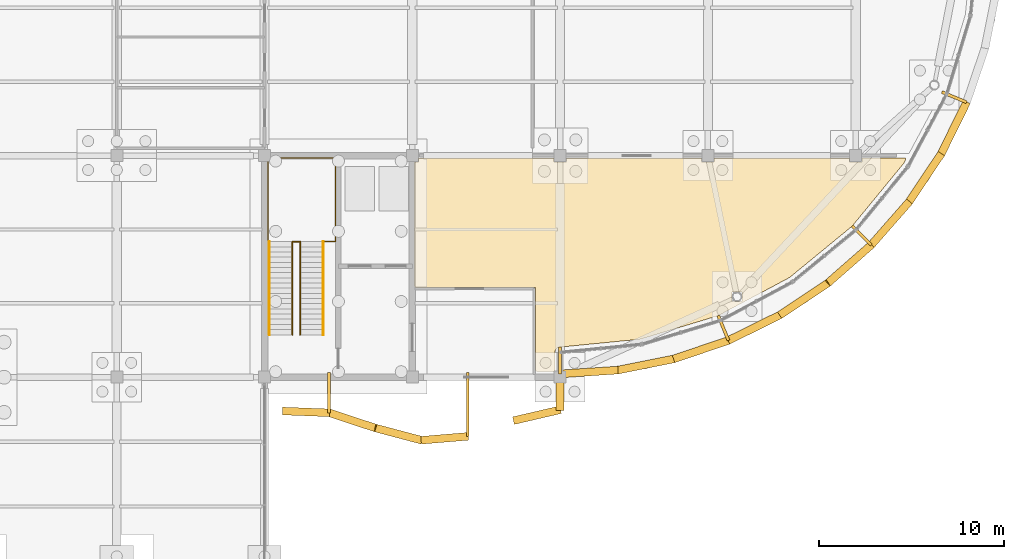
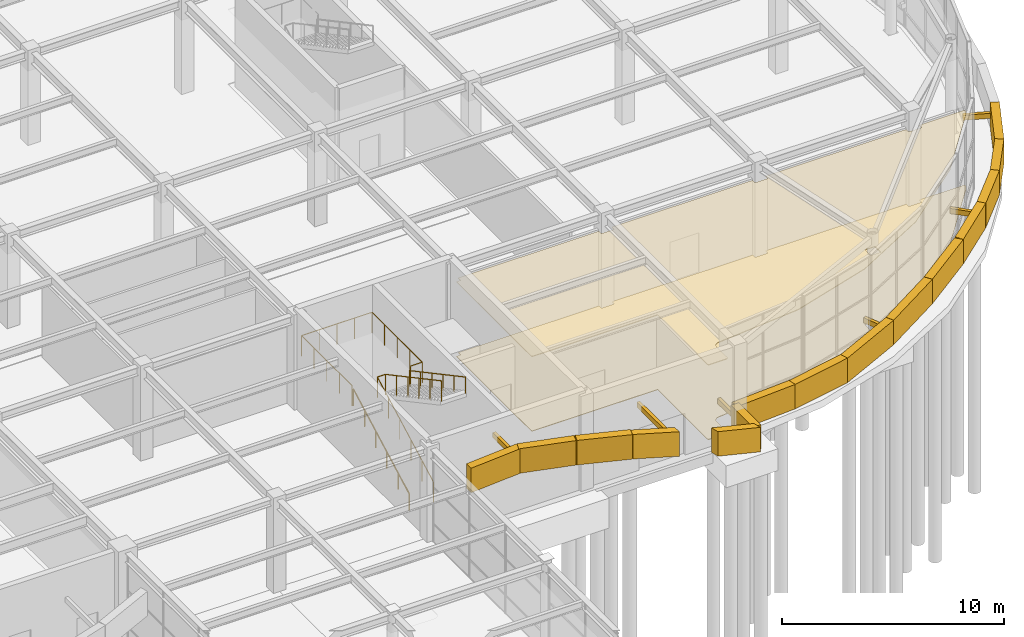
# One storey, part 80 of 85: 23 coverings, 4 railings.
"""IFC4 building model written with IfcOpenShell, lengths in metres."""

from ifc_helpers import new_model, si_unit, direction, frame, frame_2d, origin, origin_2d, place, context, subcontext, project, spatial, polyline, rectangle, circle, outline, extrude, material, layer, layer_set, type_object, element, save


model = new_model("IFC4")

# Units and contexts
model_context = context("Model", 3, precision=1e-05, world=origin(), true_north=direction((0.0, 1.0)))
body_context = subcontext(model_context, "Body", "Model", "MODEL_VIEW")
ifc_project = project(units=[si_unit("LENGTHUNIT", "METRE"), si_unit("AREAUNIT", "SQUARE_METRE"), si_unit("VOLUMEUNIT", "CUBIC_METRE"), si_unit("PLANEANGLEUNIT", "RADIAN"), si_unit("MASSUNIT", "GRAM", prefix="KILO")], contexts=[model_context])

# Site, building, storey
site_placement = place(None, origin())
site = spatial("IfcSite", under=ifc_project, at=site_placement, CompositionType="ELEMENT")
building_placement = place(site_placement, origin())
building = spatial("IfcBuilding", under=site, at=building_placement, Name="Keelwater Ferry Terminal", CompositionType="ELEMENT")
storey_placement = place(building_placement, origin())
storey = spatial("IfcBuildingStorey", under=building, at=storey_placement, Name="L00", CompositionType="ELEMENT", Elevation=0.0)

# Coverings
ifc_material_1 = material(Name="Perforated acoustic gypsum board ceiling", Category="gypsum")
ifc_layer_1 = layer(ifc_material_1, 0.044921875)
ifc_layer_set_1 = layer_set([ifc_layer_1], Name="Perforated acoustic gypsum board ceiling")
covering_type_1 = type_object("IfcCoveringType", Name="CL-AC Acoustic Baffle Ceiling", PredefinedType="CEILING", material=ifc_layer_set_1)
covering_1_placement = place(storey_placement, frame((0.0, 0.0, 4.10009765625)))
element("IfcCovering", 1, at=covering_1_placement, inside=storey, type_object=covering_type_1, Name="Customs Inspection Hall Acoustic Ceiling", PredefinedType="CEILING", context=body_context, shape_type="SweptSolid", body=[
    extrude(outline(polyline([(173.85107421875, 46.02490234375), (173.843994140625, 46.02001953125), (173.837890625, 46.01611328125), (172.568115234375, 45.3369140625), (172.56103515625, 45.333984375), (172.552978515625, 45.3310546875), (168.37109375, 44.06298828125), (168.364013671875, 44.06201171875), (168.35595703125, 44.06005859375), (163.97802734375, 43.62890625), (163.89306640625, 43.60791015625), (163.822021484375, 43.56494140625), (163.783935546875, 43.527099609375), (163.7548828125, 43.48388671875), (163.72607421875, 43.402099609375), (163.719970703125, 43.345947265625), (163.719970703125, 42.39990234375), (163.719970703125, 42.39208984375), (163.718017578125, 42.384033203125), (163.717041015625, 42.376953125), (163.714111328125, 42.368896484375), (163.7109375, 42.362060546875), (163.70703125, 42.35595703125), (163.701904296875, 42.34912109375), (163.697021484375, 42.343017578125), (163.69091796875, 42.337890625), (163.68603515625, 42.3349609375), (163.6650390625, 42.3349609375), (163.6650390625, 42.323974609375), (163.6630859375, 42.322998046875), (163.656005859375, 42.322021484375), (163.64794921875, 42.320068359375), (163.639892578125, 42.320068359375), (162.75, 42.320068359375), (162.741943359375, 42.320068359375), (162.73388671875, 42.322021484375), (162.72705078125, 42.322998046875), (162.718994140625, 42.325927734375), (162.7119140625, 42.3291015625), (162.7060546875, 42.3330078125), (162.698974609375, 42.337890625), (162.693115234375, 42.343017578125), (162.68798828125, 42.34912109375), (162.68310546875, 42.35595703125), (162.678955078125, 42.362060546875), (162.676025390625, 42.368896484375), (162.673095703125, 42.376953125), (162.672119140625, 42.384033203125), (162.669921875, 42.39208984375), (162.669921875, 42.39990234375), (162.669921875, 46.8701171875), (156.199951171875, 46.8701171875), (156.19189453125, 46.8701171875), (156.18408203125, 46.8720703125), (156.177001953125, 46.873046875), (156.1689453125, 46.8759765625), (156.162109375, 46.87890625), (156.156005859375, 46.883056640625), (156.14892578125, 46.887939453125), (156.14306640625, 46.89306640625), (156.137939453125, 46.89892578125), (156.133056640625, 46.906005859375), (156.12890625, 46.912109375), (156.1259765625, 46.9189453125), (156.123046875, 46.927001953125), (156.1220703125, 46.93408203125), (156.1201171875, 46.94189453125), (156.1201171875, 46.949951171875), (156.1201171875, 53.655029296875), (156.1201171875, 53.6630859375), (156.12109375, 53.6650390625), (156.3349609375, 53.6650390625), (156.3349609375, 53.87890625), (156.3369140625, 53.8798828125), (156.344970703125, 53.8798828125), (163.655029296875, 53.8798828125), (163.6630859375, 53.8798828125), (163.6650390625, 53.87890625), (163.6650390625, 53.6650390625), (164.3349609375, 53.6650390625), (164.3349609375, 53.87890625), (164.3369140625, 53.8798828125), (164.344970703125, 53.8798828125), (171.655029296875, 53.8798828125), (171.6630859375, 53.8798828125), (171.6650390625, 53.87890625), (171.6650390625, 53.6650390625), (172.3349609375, 53.6650390625), (172.3349609375, 53.87890625), (172.3369140625, 53.8798828125), (172.344970703125, 53.8798828125), (179.655029296875, 53.8798828125), (179.6630859375, 53.8798828125), (179.6650390625, 53.87890625), (179.6650390625, 53.6650390625), (180.3349609375, 53.6650390625), (180.3349609375, 53.87890625), (180.3369140625, 53.8798828125), (180.344970703125, 53.8798828125), (182.6298828125, 53.8798828125), (182.637939453125, 53.8798828125), (182.64599609375, 53.8779296875), (182.653076171875, 53.876953125), (182.660888671875, 53.8740234375), (182.66796875, 53.87109375), (182.674072265625, 53.866943359375), (182.680908203125, 53.862060546875), (182.68701171875, 53.85693359375), (182.69189453125, 53.85107421875), (182.697021484375, 53.843994140625), (182.700927734375, 53.837890625), (182.7041015625, 53.8310546875), (182.70703125, 53.822998046875), (182.7080078125, 53.81591796875), (182.7099609375, 53.80810546875), (182.7099609375, 53.800048828125), (182.7099609375, 53.7919921875), (182.7080078125, 53.783935546875), (182.70703125, 53.777099609375), (182.7041015625, 53.76904296875), (182.700927734375, 53.761962890625), (182.60302734375, 53.5791015625), (182.597900390625, 53.572998046875), (182.593994140625, 53.56591796875), (179.822021484375, 50.18896484375), (179.81689453125, 50.18310546875), (179.81103515625, 50.177978515625), (176.43408203125, 47.406005859375), (176.427001953125, 47.40087890625), (176.4208984375, 47.39697265625), (173.889892578125, 46.0439453125), (173.883056640625, 46.041015625), (173.875, 46.0380859375), (173.867919921875, 46.037109375), (173.861083984375, 46.035888671875), (173.85693359375, 46.030029296875), (173.85107421875, 46.02490234375)]), holes=[polyline([(173.842041015625, 46.625), (173.31396484375, 46.625), (173.31396484375, 46.096923828125), (173.842041015625, 46.096923828125), (173.842041015625, 46.625)])]), origin(), (0.0, 0.0, 1.0), 0.044921875),
])
ifc_material_2 = material(Name="Polished mineral terrazzo tile", Category="stone")
ifc_layer_2 = layer(ifc_material_2, 0.030029296875)
ifc_layer_set_2 = layer_set([ifc_layer_2], Name="Polished mineral terrazzo tile")
covering_type_2 = type_object("IfcCoveringType", Name="FL-TZ Marine Terrazzo Flooring", PredefinedType="FLOORING", material=ifc_layer_set_2)
covering_2_placement = place(storey_placement, origin())
element("IfcCovering", 2, at=covering_2_placement, inside=storey, type_object=covering_type_2, Name="Customs Inspection Hall Terrazzo Floor", PredefinedType="FLOORING", context=body_context, shape_type="SweptSolid", body=[
    extrude(outline(polyline([(173.85107421875, 46.02490234375), (173.843994140625, 46.02001953125), (173.837890625, 46.01611328125), (172.568115234375, 45.3369140625), (172.56103515625, 45.333984375), (172.552978515625, 45.3310546875), (168.37109375, 44.06298828125), (168.364013671875, 44.06201171875), (168.35595703125, 44.06005859375), (163.97802734375, 43.62890625), (163.89306640625, 43.60791015625), (163.822021484375, 43.56494140625), (163.783935546875, 43.527099609375), (163.7548828125, 43.48388671875), (163.72607421875, 43.402099609375), (163.719970703125, 43.345947265625), (163.719970703125, 42.39990234375), (163.719970703125, 42.39208984375), (163.718017578125, 42.384033203125), (163.717041015625, 42.376953125), (163.714111328125, 42.368896484375), (163.7109375, 42.362060546875), (163.70703125, 42.35595703125), (163.701904296875, 42.34912109375), (163.697021484375, 42.343017578125), (163.69091796875, 42.337890625), (163.68603515625, 42.3349609375), (163.6650390625, 42.3349609375), (163.6650390625, 42.323974609375), (163.6630859375, 42.322998046875), (163.656005859375, 42.322021484375), (163.64794921875, 42.320068359375), (163.639892578125, 42.320068359375), (162.75, 42.320068359375), (162.741943359375, 42.320068359375), (162.73388671875, 42.322021484375), (162.72705078125, 42.322998046875), (162.718994140625, 42.325927734375), (162.7119140625, 42.3291015625), (162.7060546875, 42.3330078125), (162.698974609375, 42.337890625), (162.693115234375, 42.343017578125), (162.68798828125, 42.34912109375), (162.68310546875, 42.35595703125), (162.678955078125, 42.362060546875), (162.676025390625, 42.368896484375), (162.673095703125, 42.376953125), (162.672119140625, 42.384033203125), (162.669921875, 42.39208984375), (162.669921875, 42.39990234375), (162.669921875, 46.8701171875), (156.199951171875, 46.8701171875), (156.19189453125, 46.8701171875), (156.18408203125, 46.8720703125), (156.177001953125, 46.873046875), (156.1689453125, 46.8759765625), (156.162109375, 46.87890625), (156.156005859375, 46.883056640625), (156.14892578125, 46.887939453125), (156.14306640625, 46.89306640625), (156.137939453125, 46.89892578125), (156.133056640625, 46.906005859375), (156.12890625, 46.912109375), (156.1259765625, 46.9189453125), (156.123046875, 46.927001953125), (156.1220703125, 46.93408203125), (156.1201171875, 46.94189453125), (156.1201171875, 46.949951171875), (156.1201171875, 53.655029296875), (156.1201171875, 53.6630859375), (156.12109375, 53.6650390625), (156.3349609375, 53.6650390625), (156.3349609375, 53.87890625), (156.3369140625, 53.8798828125), (156.344970703125, 53.8798828125), (163.655029296875, 53.8798828125), (163.6630859375, 53.8798828125), (163.6650390625, 53.87890625), (163.6650390625, 53.6650390625), (164.3349609375, 53.6650390625), (164.3349609375, 53.87890625), (164.3369140625, 53.8798828125), (164.344970703125, 53.8798828125), (171.655029296875, 53.8798828125), (171.6630859375, 53.8798828125), (171.6650390625, 53.87890625), (171.6650390625, 53.6650390625), (172.3349609375, 53.6650390625), (172.3349609375, 53.87890625), (172.3369140625, 53.8798828125), (172.344970703125, 53.8798828125), (179.655029296875, 53.8798828125), (179.6630859375, 53.8798828125), (179.6650390625, 53.87890625), (179.6650390625, 53.6650390625), (180.3349609375, 53.6650390625), (180.3349609375, 53.87890625), (180.3369140625, 53.8798828125), (180.344970703125, 53.8798828125), (182.6298828125, 53.8798828125), (182.637939453125, 53.8798828125), (182.64599609375, 53.8779296875), (182.653076171875, 53.876953125), (182.660888671875, 53.8740234375), (182.66796875, 53.87109375), (182.674072265625, 53.866943359375), (182.680908203125, 53.862060546875), (182.68701171875, 53.85693359375), (182.69189453125, 53.85107421875), (182.697021484375, 53.843994140625), (182.700927734375, 53.837890625), (182.7041015625, 53.8310546875), (182.70703125, 53.822998046875), (182.7080078125, 53.81591796875), (182.7099609375, 53.80810546875), (182.7099609375, 53.800048828125), (182.7099609375, 53.7919921875), (182.7080078125, 53.783935546875), (182.70703125, 53.777099609375), (182.7041015625, 53.76904296875), (182.700927734375, 53.761962890625), (182.60302734375, 53.5791015625), (182.597900390625, 53.572998046875), (182.593994140625, 53.56591796875), (179.822021484375, 50.18896484375), (179.81689453125, 50.18310546875), (179.81103515625, 50.177978515625), (176.43408203125, 47.406005859375), (176.427001953125, 47.40087890625), (176.4208984375, 47.39697265625), (173.889892578125, 46.0439453125), (173.883056640625, 46.041015625), (173.875, 46.0380859375), (173.867919921875, 46.037109375), (173.861083984375, 46.035888671875), (173.85693359375, 46.030029296875), (173.85107421875, 46.02490234375)]), holes=[polyline([(173.842041015625, 46.625), (173.31396484375, 46.625), (173.31396484375, 46.096923828125), (173.842041015625, 46.096923828125), (173.842041015625, 46.625)])]), origin(), (0.0, 0.0, 1.0), 0.030029296875),
])

# Railings
ifc_material_3 = material(Name="Painted Steel S355", Category="steel")
railing_type_1 = type_object("IfcRailingType", Name="GR-115 Stair Well Guardrail", PredefinedType="GUARDRAIL", material=ifc_material_3)
railing_1_placement = place(storey_placement, frame((149.510009765625, 44.300048828125, 0.0)))
element("IfcRailing", 3, at=railing_1_placement, inside=storey, type_object=railing_type_1, Name="Stair ST-C4-L00 Inner Well Guard 70", PredefinedType="GUARDRAIL", context=body_context, shape_type="SweptSolid", body=[
    extrude(circle(Radius=0.02392578125, at=origin_2d()), frame((0.0, 0.0, 1.1259765625), z_axis=(0.0, 0.881485048194, 0.472211933151), x_axis=(-1.0, 0.0, 0.0)), (0.0, 0.0, 1.0), 5.7177734375),
    extrude(circle(Radius=0.02392578125, at=origin_2d()), frame((0.0, 5.0400390625, 3.82568359375), z_axis=(1.0, 0.0, 0.0), x_axis=(0.0, 1.0, 0.0)), (0.0, 0.0, 1.0), 0.419921875),
    extrude(circle(Radius=0.02392578125, at=origin_2d()), frame((0.419921875, 5.0400390625, 3.82568359375), z_axis=(0.0, -0.881485048194, 0.472211933151), x_axis=(1.0, 0.0, 0.0)), (0.0, 0.0, 1.0), 5.7177734375),
    extrude(circle(Radius=0.02099609375, at=origin_2d()), origin(), (0.0, 0.0, 1.0), 1.101806640625),
    extrude(circle(Radius=0.02099609375, at=origin_2d()), frame((0.0, 1.008056640625, 0.5400390625)), (0.0, 0.0, 1.0), 1.101806640625),
    extrude(circle(Radius=0.02099609375, at=origin_2d()), frame((0.0, 2.01611328125, 1.080078125)), (0.0, 0.0, 1.0), 1.101806640625),
    extrude(circle(Radius=0.02099609375, at=origin_2d()), frame((0.0, 3.02392578125, 1.619873046875)), (0.0, 0.0, 1.0), 1.101806640625),
    extrude(circle(Radius=0.02099609375, at=origin_2d()), frame((0.0, 4.031982421875, 2.159912109375)), (0.0, 0.0, 1.0), 1.101806640625),
    extrude(circle(Radius=0.02099609375, at=origin_2d()), frame((0.0, 5.0400390625, 2.699951171875)), (0.0, 0.0, 1.0), 1.101806640625),
    extrude(circle(Radius=0.02099609375, at=origin_2d()), frame((0.419921875, 5.0400390625, 2.699951171875)), (0.0, 0.0, 1.0), 1.101806640625),
    extrude(circle(Radius=0.02099609375, at=origin_2d()), frame((0.419921875, 4.031982421875, 3.239990234375)), (0.0, 0.0, 1.0), 1.101806640625),
    extrude(circle(Radius=0.02099609375, at=origin_2d()), frame((0.419921875, 3.02392578125, 3.780029296875)), (0.0, 0.0, 1.0), 1.101806640625),
    extrude(circle(Radius=0.02099609375, at=origin_2d()), frame((0.419921875, 2.01611328125, 4.31982421875)), (0.0, 0.0, 1.0), 1.101806640625),
    extrude(circle(Radius=0.02099609375, at=origin_2d()), frame((0.419921875, 1.008056640625, 4.85986328125)), (0.0, 0.0, 1.0), 1.101806640625),
    extrude(circle(Radius=0.02099609375, at=origin_2d()), frame((0.419921875, 0.0, 5.39990234375)), (0.0, 0.0, 1.0), 1.101806640625),
])
railing_2_placement = place(storey_placement, frame((148.199951171875, 49.340087890625, 2.699951171875)))
element("IfcRailing", 4, at=railing_2_placement, inside=storey, type_object=railing_type_1, Name="Stair ST-C4-L00 Half-Landing Guard 71", PredefinedType="GUARDRAIL", context=body_context, shape_type="SweptSolid", body=[
    extrude(circle(Radius=0.02392578125, at=origin_2d()), frame((0.0, 0.0, 1.1259765625), z_axis=(-1.0, 0.0, 0.0), x_axis=(0.0, -1.0, 0.0)), (0.0, 0.0, 1.0), 0.02001953125),
    extrude(circle(Radius=0.02392578125, at=origin_2d()), frame((-0.02001953125, 0.0, 1.1259765625), z_axis=(0.0, 1.0, 0.0), x_axis=(-1.0, 0.0, 0.0)), (0.0, 0.0, 1.0), 4.530029296875),
    extrude(circle(Radius=0.02392578125, at=origin_2d()), frame((-0.02001953125, 4.530029296875, 1.1259765625), z_axis=(1.0, 0.0, 0.0), x_axis=(0.0, 1.0, 0.0)), (0.0, 0.0, 1.0), 3.670166015625),
    extrude(circle(Radius=0.02392578125, at=origin_2d()), frame((3.650146484375, 4.530029296875, 1.1259765625), z_axis=(0.0, -1.0, 0.0), x_axis=(1.0, 0.0, 0.0)), (0.0, 0.0, 1.0), 4.530029296875),
    extrude(circle(Radius=0.02392578125, at=origin_2d()), frame((3.650146484375, 0.0, 1.1259765625), z_axis=(-1.0, 0.0, 0.0), x_axis=(0.0, -1.0, 0.0)), (0.0, 0.0, 1.0), 0.610107421875),
    extrude(circle(Radius=0.02099609375, at=origin_2d()), origin(), (0.0, 0.0, 1.0), 1.101806640625),
    extrude(circle(Radius=0.02099609375, at=origin_2d()), frame((-0.02001953125, 0.0, 0.0)), (0.0, 0.0, 1.0), 1.101806640625),
    extrude(circle(Radius=0.02099609375, at=origin_2d()), frame((-0.02001953125, 1.132568359375, 0.0)), (0.0, 0.0, 1.0), 1.101806640625),
    extrude(circle(Radius=0.02099609375, at=origin_2d()), frame((-0.02001953125, 2.26513671875, 0.0)), (0.0, 0.0, 1.0), 1.101806640625),
    extrude(circle(Radius=0.02099609375, at=origin_2d()), frame((-0.02001953125, 3.3974609375, 0.0)), (0.0, 0.0, 1.0), 1.101806640625),
    extrude(circle(Radius=0.02099609375, at=origin_2d()), frame((-0.02001953125, 4.530029296875, 0.0)), (0.0, 0.0, 1.0), 1.101806640625),
    extrude(circle(Radius=0.02099609375, at=origin_2d()), frame((0.8974609375, 4.530029296875, 0.0)), (0.0, 0.0, 1.0), 1.101806640625),
    extrude(circle(Radius=0.02099609375, at=origin_2d()), frame((1.81494140625, 4.530029296875, 0.0)), (0.0, 0.0, 1.0), 1.101806640625),
    extrude(circle(Radius=0.02099609375, at=origin_2d()), frame((2.732666015625, 4.530029296875, 0.0)), (0.0, 0.0, 1.0), 1.101806640625),
    extrude(circle(Radius=0.02099609375, at=origin_2d()), frame((3.650146484375, 4.530029296875, 0.0)), (0.0, 0.0, 1.0), 1.101806640625),
    extrude(circle(Radius=0.02099609375, at=origin_2d()), frame((3.650146484375, 3.3974609375, 0.0)), (0.0, 0.0, 1.0), 1.101806640625),
    extrude(circle(Radius=0.02099609375, at=origin_2d()), frame((3.650146484375, 2.26513671875, 0.0)), (0.0, 0.0, 1.0), 1.101806640625),
    extrude(circle(Radius=0.02099609375, at=origin_2d()), frame((3.650146484375, 1.132568359375, 0.0)), (0.0, 0.0, 1.0), 1.101806640625),
    extrude(circle(Radius=0.02099609375, at=origin_2d()), frame((3.650146484375, 0.0, 0.0)), (0.0, 0.0, 1.0), 1.101806640625),
    extrude(circle(Radius=0.02099609375, at=origin_2d()), frame((3.0400390625, 0.0, 0.0)), (0.0, 0.0, 1.0), 1.101806640625),
])
ifc_material_4 = material(Name="Brushed stainless steel handrail", Category="steel")
railing_type_2 = type_object("IfcRailingType", Name="HR-920 Stair Pitch Handrail", PredefinedType="HANDRAIL", material=ifc_material_4)
railing_3_placement = place(storey_placement, frame((148.260009765625, 44.300048828125, 0.0)))
element("IfcRailing", 5, at=railing_3_placement, inside=storey, type_object=railing_type_2, Name="Stair ST-C4-L00 Flight 1 Handrail 72", PredefinedType="HANDRAIL", context=body_context, shape_type="SweptSolid", body=[
    extrude(circle(Radius=0.02392578125, at=origin_2d()), frame((0.0, 0.0, 0.89599609375), z_axis=(0.0, 0.881485048194, 0.472211933151), x_axis=(-1.0, 0.0, 0.0)), (0.0, 0.0, 1.0), 5.7177734375),
    extrude(circle(Radius=0.02099609375, at=origin_2d()), origin(), (0.0, 0.0, 1.0), 0.871826171875),
    extrude(circle(Radius=0.02099609375, at=origin_2d()), frame((0.0, 1.008056640625, 0.5400390625)), (0.0, 0.0, 1.0), 0.871826171875),
    extrude(circle(Radius=0.02099609375, at=origin_2d()), frame((0.0, 2.01611328125, 1.080078125)), (0.0, 0.0, 1.0), 0.871826171875),
    extrude(circle(Radius=0.02099609375, at=origin_2d()), frame((0.0, 3.02392578125, 1.619873046875)), (0.0, 0.0, 1.0), 0.871826171875),
    extrude(circle(Radius=0.02099609375, at=origin_2d()), frame((0.0, 4.031982421875, 2.159912109375)), (0.0, 0.0, 1.0), 0.871826171875),
    extrude(circle(Radius=0.02099609375, at=origin_2d()), frame((0.0, 5.0400390625, 2.699951171875)), (0.0, 0.0, 1.0), 0.871826171875),
])
railing_4_placement = place(storey_placement, frame((151.179931640625, 49.340087890625, 2.699951171875)))
element("IfcRailing", 6, at=railing_4_placement, inside=storey, type_object=railing_type_2, Name="Stair ST-C4-L00 Flight 2 Handrail 73", PredefinedType="HANDRAIL", context=body_context, shape_type="SweptSolid", body=[
    extrude(circle(Radius=0.02392578125, at=origin_2d()), frame((0.0, 0.0, 0.89599609375), z_axis=(0.0, -0.881485048194, 0.472211933151), x_axis=(1.0, 0.0, 0.0)), (0.0, 0.0, 1.0), 5.7177734375),
    extrude(circle(Radius=0.02099609375, at=origin_2d()), origin(), (0.0, 0.0, 1.0), 0.871826171875),
    extrude(circle(Radius=0.02099609375, at=origin_2d()), frame((0.0, -1.008056640625, 0.5400390625)), (0.0, 0.0, 1.0), 0.871826171875),
    extrude(circle(Radius=0.02099609375, at=origin_2d()), frame((0.0, -2.01611328125, 1.080078125)), (0.0, 0.0, 1.0), 0.871826171875),
    extrude(circle(Radius=0.02099609375, at=origin_2d()), frame((0.0, -3.02392578125, 1.619873046875)), (0.0, 0.0, 1.0), 0.871826171875),
    extrude(circle(Radius=0.02099609375, at=origin_2d()), frame((0.0, -4.031982421875, 2.159912109375)), (0.0, 0.0, 1.0), 0.871826171875),
    extrude(circle(Radius=0.02099609375, at=origin_2d()), frame((0.0, -5.0400390625, 2.699951171875)), (0.0, 0.0, 1.0), 0.871826171875),
])

# Coverings
ifc_material_5 = material(Name="Matte white architectural aluminium fascia ribbon", Category="aluminium")
ifc_layer_3 = layer(ifc_material_5, 0.1201171875)
ifc_layer_set_3 = layer_set([ifc_layer_3], Name="Matte white architectural aluminium fascia ribbon")
covering_type_3 = type_object("IfcCoveringType", Name="RB-WHT Matte White Fascia Ribbon", PredefinedType="CLADDING", material=ifc_layer_set_3)
covering_3_placement = place(storey_placement, frame((148.97509765625, 40.1708984375, 3.3291015625), z_axis=(0.0, 0.0, 1.0), x_axis=(0.999263716325, -0.038366981065, 0.0)))
element("IfcCovering", 7, at=covering_3_placement, inside=storey, type_object=covering_type_3, Name="Quay Plinth Wave Fascia Ribbon 578", PredefinedType="CLADDING", context=body_context, shape_type="SweptSolid", body=[
    extrude(outline(polyline([(0.0, 0.0), (2.5517578125, 0.261962890625), (2.5517578125, 1.61181640625), (0.0, 1.349853515625), (0.0, 0.0)])), frame((0.0, 0.2099609375, 0.0), z_axis=(0.0, -1.0, 0.0), x_axis=(1.0, 0.0, 0.0)), (0.0, 0.0, 1.0), 0.419921875),
])
covering_4_placement = place(storey_placement, frame((151.47607421875, 40.08203125, 3.591064453125), z_axis=(0.0, 0.0, 1.0), x_axis=(0.949922945862, -0.312484234682, 0.0)))
element("IfcCovering", 8, at=covering_4_placement, inside=storey, type_object=covering_type_3, Name="Quay Plinth Wave Fascia Ribbon 582", PredefinedType="CLADDING", context=body_context, shape_type="SweptSolid", body=[
    extrude(outline(polyline([(0.0, 0.0), (2.68212890625, 0.08203125), (2.68212890625, 1.431884765625), (0.0, 1.349853515625), (0.0, 0.0)])), frame((0.0, 0.2099609375, 0.0), z_axis=(0.0, -1.0, 0.0), x_axis=(1.0, 0.0, 0.0)), (0.0, 0.0, 1.0), 0.419921875),
])
covering_5_placement = place(storey_placement, frame((151.5, 40.073974609375, 4.1259765625), z_axis=(0.0, 0.0, 1.0), x_axis=(0.0, 1.0, 0.0)))
element("IfcCovering", 9, at=covering_5_placement, inside=storey, type_object=covering_type_3, Name="Ribbon Horizontal Tie Bracket 586", PredefinedType="CLADDING", context=body_context, shape_type="SweptSolid", body=[
    extrude(rectangle(XDim=2.176025390625, YDim=0.159912109375, at=frame_2d((1.087890625, 0.0))), origin(), (0.0, 0.0, 1.0), 0.280029296875),
])
covering_6_placement = place(storey_placement, frame((153.97607421875, 39.258056640625, 3.51708984375), z_axis=(0.0, 0.0, 1.0), x_axis=(0.966647246159, -0.256111502073, 0.0)))
element("IfcCovering", 10, at=covering_6_placement, inside=storey, type_object=covering_type_3, Name="Quay Plinth Wave Fascia Ribbon 593", PredefinedType="CLADDING", context=body_context, shape_type="SweptSolid", body=[
    extrude(outline(polyline([(0.0, 0.156005859375), (2.6357421875, 0.0), (2.6357421875, 1.349853515625), (0.0, 1.505859375), (0.0, 0.156005859375)])), frame((0.0, 0.2099609375, 0.0), z_axis=(0.0, -1.0, 0.0), x_axis=(1.0, 0.0, 0.0)), (0.0, 0.0, 1.0), 0.419921875),
])
covering_7_placement = place(storey_placement, frame((156.47509765625, 38.5869140625, 2.64697265625), z_axis=(0.0, 0.0, 1.0), x_axis=(0.9964929164, 0.083677162743, 0.0)))
element("IfcCovering", 11, at=covering_7_placement, inside=storey, type_object=covering_type_3, Name="Quay Plinth Wave Fascia Ribbon 597", PredefinedType="CLADDING", context=body_context, shape_type="SweptSolid", body=[
    extrude(outline(polyline([(0.0, 0.8701171875), (2.558837890625, 0.0), (2.558837890625, 1.35009765625), (0.0, 2.219970703125), (0.0, 0.8701171875)])), frame((0.0, 0.2099609375, 0.0), z_axis=(0.0, -1.0, 0.0), x_axis=(1.0, 0.0, 0.0)), (0.0, 0.0, 1.0), 0.419921875),
])
covering_8_placement = place(storey_placement, frame((159.0, 38.799072265625, 3.181884765625), z_axis=(0.0, 0.0, 1.0), x_axis=(0.0, 1.0, 0.0)))
element("IfcCovering", 12, at=covering_8_placement, inside=storey, type_object=covering_type_3, Name="Ribbon Horizontal Tie Bracket 603", PredefinedType="CLADDING", context=body_context, shape_type="SweptSolid", body=[
    extrude(rectangle(XDim=3.450927734375, YDim=0.159912109375, at=frame_2d((1.7255859375, 0.0))), origin(), (0.0, 0.0, 1.0), 0.280029296875),
])
covering_9_placement = place(storey_placement, frame((161.47607421875, 39.64990234375, 0.25), z_axis=(0.0, 0.0, 1.0), x_axis=(0.973966350755, 0.226692628017, 0.0)))
element("IfcCovering", 13, at=covering_9_placement, inside=storey, type_object=covering_type_3, Name="Quay Plinth Wave Fascia Ribbon 609", PredefinedType="CLADDING", context=body_context, shape_type="SweptSolid", body=[
    extrude(outline(polyline([(0.0, 1.010986328125), (2.615966796875, 0.0), (2.615966796875, 1.35009765625), (0.0, 2.361083984375), (0.0, 1.010986328125)])), frame((0.0, 0.2099609375, 0.0), z_axis=(0.0, -1.0, 0.0), x_axis=(1.0, 0.0, 0.0)), (0.0, 0.0, 1.0), 0.419921875),
])
covering_10_placement = place(storey_placement, frame((164.0, 40.2119140625, 0.25), z_axis=(0.0, 0.0, 1.0), x_axis=(0.0, 1.0, 0.0)))
element("IfcCovering", 14, at=covering_10_placement, inside=storey, type_object=covering_type_3, Name="Quay Plinth Wave Fascia Ribbon 613", PredefinedType="CLADDING", context=body_context, shape_type="SweptSolid", body=[
    extrude(outline(polyline([(0.0, 0.0), (1.9931640625, 0.0), (1.9931640625, 1.35009765625), (0.0, 1.35009765625), (0.0, 0.0)])), frame((0.0, 0.2099609375, 0.0), z_axis=(0.0, -1.0, 0.0), x_axis=(1.0, 0.0, 0.0)), (0.0, 0.0, 1.0), 0.419921875),
])
covering_11_placement = place(storey_placement, frame((163.97509765625, 42.177978515625, 0.25), z_axis=(0.0, 0.0, 1.0), x_axis=(0.997839082041, 0.065705147067, 0.0)))
element("IfcCovering", 15, at=covering_11_placement, inside=storey, type_object=covering_type_3, Name="Quay Plinth Wave Fascia Ribbon 617", PredefinedType="CLADDING", context=body_context, shape_type="SweptSolid", body=[
    extrude(outline(polyline([(0.0, 0.0), (3.165771484375, 0.0), (3.165771484375, 1.35009765625), (0.0, 1.35009765625), (0.0, 0.0)])), frame((0.0, 0.2099609375, 0.0), z_axis=(0.0, -1.0, 0.0), x_axis=(1.0, 0.0, 0.0)), (0.0, 0.0, 1.0), 0.419921875),
])
covering_12_placement = place(storey_placement, frame((164.0, 42.179931640625, 0.784912109375), z_axis=(0.0, 0.0, 1.0), x_axis=(0.0, 1.0, 0.0)))
element("IfcCovering", 16, at=covering_12_placement, inside=storey, type_object=covering_type_3, Name="Ribbon Horizontal Tie Bracket 621", PredefinedType="CLADDING", context=body_context, shape_type="SweptSolid", body=[
    extrude(rectangle(XDim=1.449951171875, YDim=0.159912109375, at=frame_2d((0.72509765625, 0.0))), origin(), (0.0, 0.0, 1.0), 0.280029296875),
])
covering_13_placement = place(storey_placement, frame((167.083984375, 42.37890625, 0.25), z_axis=(0.0, 0.0, 1.0), x_axis=(0.98076407959, 0.195196875454, 0.0)))
element("IfcCovering", 17, at=covering_13_placement, inside=storey, type_object=covering_type_3, Name="Quay Plinth Wave Fascia Ribbon 629", PredefinedType="CLADDING", context=body_context, shape_type="SweptSolid", body=[
    extrude(outline(polyline([(0.0, 0.0), (3.1669921875, 0.0), (3.1669921875, 1.35009765625), (0.0, 1.35009765625), (0.0, 0.0)])), frame((0.0, 0.2099609375, 0.0), z_axis=(0.0, -1.0, 0.0), x_axis=(1.0, 0.0, 0.0)), (0.0, 0.0, 1.0), 0.419921875),
])
covering_14_placement = place(storey_placement, frame((170.14111328125, 42.98388671875, 0.25), z_axis=(0.0, 0.0, 1.0), x_axis=(0.94701262585, 0.321196336342, 0.0)))
element("IfcCovering", 18, at=covering_14_placement, inside=storey, type_object=covering_type_3, Name="Quay Plinth Wave Fascia Ribbon 633", PredefinedType="CLADDING", context=body_context, shape_type="SweptSolid", body=[
    extrude(outline(polyline([(0.0, 0.0), (3.16650390625, 0.429931640625), (3.16650390625, 1.780029296875), (0.0, 1.35009765625), (0.0, 0.0)])), frame((0.0, 0.2099609375, 0.0), z_axis=(0.0, -1.0, 0.0), x_axis=(1.0, 0.0, 0.0)), (0.0, 0.0, 1.0), 0.419921875),
])
covering_15_placement = place(storey_placement, frame((173.093994140625, 43.98193359375, 0.679931640625), z_axis=(0.0, 0.0, 1.0), x_axis=(0.896790782987, 0.442454846905, 0.0)))
element("IfcCovering", 19, at=covering_15_placement, inside=storey, type_object=covering_type_3, Name="Quay Plinth Wave Fascia Ribbon 637", PredefinedType="CLADDING", context=body_context, shape_type="SweptSolid", body=[
    extrude(outline(polyline([(0.0, 0.0), (3.16455078125, 0.426025390625), (3.16455078125, 1.776123046875), (0.0, 1.35009765625), (0.0, 0.0)])), frame((0.0, 0.2099609375, 0.0), z_axis=(0.0, -1.0, 0.0), x_axis=(1.0, 0.0, 0.0)), (0.0, 0.0, 1.0), 0.419921875),
])
covering_16_placement = place(storey_placement, frame((173.115966796875, 43.992919921875, 1.215087890625), z_axis=(0.0, 0.0, 1.0), x_axis=(-0.382594606681, 0.923916320312, 0.0)))
element("IfcCovering", 20, at=covering_16_placement, inside=storey, type_object=covering_type_3, Name="Ribbon Horizontal Tie Bracket 641", PredefinedType="CLADDING", context=body_context, shape_type="SweptSolid", body=[
    extrude(rectangle(XDim=1.450439453125, YDim=0.159912109375, at=frame_2d((0.72509765625, 0.0))), origin(), (0.0, 0.0, 1.0), 0.280029296875),
])
covering_17_placement = place(storey_placement, frame((175.888916015625, 45.35693359375, 1.10595703125), z_axis=(0.0, 0.0, 1.0), x_axis=(0.831516144614, 0.55550058618, 0.0)))
element("IfcCovering", 21, at=covering_17_placement, inside=storey, type_object=covering_type_3, Name="Quay Plinth Wave Fascia Ribbon 649", PredefinedType="CLADDING", context=body_context, shape_type="SweptSolid", body=[
    extrude(outline(polyline([(0.0, 0.0), (3.16650390625, 0.213134765625), (3.16650390625, 1.56298828125), (0.0, 1.35009765625), (0.0, 0.0)])), frame((0.0, 0.2099609375, 0.0), z_axis=(0.0, -1.0, 0.0), x_axis=(1.0, 0.0, 0.0)), (0.0, 0.0, 1.0), 0.419921875),
])
covering_18_placement = place(storey_placement, frame((178.48193359375, 47.0859375, 1.222900390625), z_axis=(0.0, 0.0, 1.0), x_axis=(0.75186441018, 0.65931776004, 0.0)))
element("IfcCovering", 22, at=covering_18_placement, inside=storey, type_object=covering_type_3, Name="Quay Plinth Wave Fascia Ribbon 653", PredefinedType="CLADDING", context=body_context, shape_type="SweptSolid", body=[
    extrude(outline(polyline([(0.0, 0.09619140625), (3.16552734375, 0.0), (3.16552734375, 1.35009765625), (0.0, 1.446044921875), (0.0, 0.09619140625)])), frame((0.0, 0.2099609375, 0.0), z_axis=(0.0, -1.0, 0.0), x_axis=(1.0, 0.0, 0.0)), (0.0, 0.0, 1.0), 0.419921875),
])
covering_19_placement = place(storey_placement, frame((180.826904296875, 49.137939453125, 0.861083984375), z_axis=(0.0, 0.0, 1.0), x_axis=(0.65931776004, 0.75186441018, 0.0)))
element("IfcCovering", 23, at=covering_19_placement, inside=storey, type_object=covering_type_3, Name="Quay Plinth Wave Fascia Ribbon 657", PredefinedType="CLADDING", context=body_context, shape_type="SweptSolid", body=[
    extrude(outline(polyline([(0.0, 0.36181640625), (3.16552734375, 0.0), (3.16552734375, 1.349853515625), (0.0, 1.7119140625), (0.0, 0.36181640625)])), frame((0.0, 0.2099609375, 0.0), z_axis=(0.0, -1.0, 0.0), x_axis=(1.0, 0.0, 0.0)), (0.0, 0.0, 1.0), 0.419921875),
])
covering_20_placement = place(storey_placement, frame((180.843017578125, 49.156982421875, 1.758056640625), z_axis=(0.0, 0.0, 1.0), x_axis=(-0.707106781187, 0.707106781187, 0.0)))
element("IfcCovering", 24, at=covering_20_placement, inside=storey, type_object=covering_type_3, Name="Ribbon Horizontal Tie Bracket 661", PredefinedType="CLADDING", context=body_context, shape_type="SweptSolid", body=[
    extrude(rectangle(XDim=1.449462890625, YDim=0.159912109375, at=frame_2d((0.724609375, 0.0))), origin(), (0.0, 0.0, 1.0), 0.280029296875),
])
covering_21_placement = place(storey_placement, frame((182.884033203125, 51.47802734375, 0.39404296875), z_axis=(0.0, 0.0, 1.0), x_axis=(0.55550058618, 0.831516144614, 0.0)))
element("IfcCovering", 25, at=covering_21_placement, inside=storey, type_object=covering_type_3, Name="Quay Plinth Wave Fascia Ribbon 668", PredefinedType="CLADDING", context=body_context, shape_type="SweptSolid", body=[
    extrude(outline(polyline([(0.0, 0.467041015625), (3.16650390625, 0.0), (3.16650390625, 1.349853515625), (0.0, 1.81689453125), (0.0, 0.467041015625)])), frame((0.0, 0.2099609375, 0.0), z_axis=(0.0, -1.0, 0.0), x_axis=(1.0, 0.0, 0.0)), (0.0, 0.0, 1.0), 0.419921875),
])
covering_22_placement = place(storey_placement, frame((184.617919921875, 54.068115234375, 0.25), z_axis=(0.0, 0.0, 1.0), x_axis=(0.442454846905, 0.896790782987, 0.0)))
element("IfcCovering", 26, at=covering_22_placement, inside=storey, type_object=covering_type_3, Name="Quay Plinth Wave Fascia Ribbon 672", PredefinedType="CLADDING", context=body_context, shape_type="SweptSolid", body=[
    extrude(outline(polyline([(0.0, 0.14404296875), (3.16455078125, 0.0), (3.16455078125, 1.35009765625), (0.0, 1.493896484375), (0.0, 0.14404296875)])), frame((0.0, 0.2099609375, 0.0), z_axis=(0.0, -1.0, 0.0), x_axis=(1.0, 0.0, 0.0)), (0.0, 0.0, 1.0), 0.419921875),
])
covering_23_placement = place(storey_placement, frame((186.007080078125, 56.884033203125, 0.784912109375), z_axis=(0.0, 0.0, 1.0), x_axis=(-0.923916320312, 0.382594606681, 0.0)))
element("IfcCovering", 27, at=covering_23_placement, inside=storey, type_object=covering_type_3, Name="Ribbon Horizontal Tie Bracket 680", PredefinedType="CLADDING", context=body_context, shape_type="SweptSolid", body=[
    extrude(rectangle(XDim=1.450439453125, YDim=0.159912109375, at=frame_2d((0.72509765625, 0.0))), origin(), (0.0, 0.0, 1.0), 0.280029296875),
])

save(model, "model.ifc")
